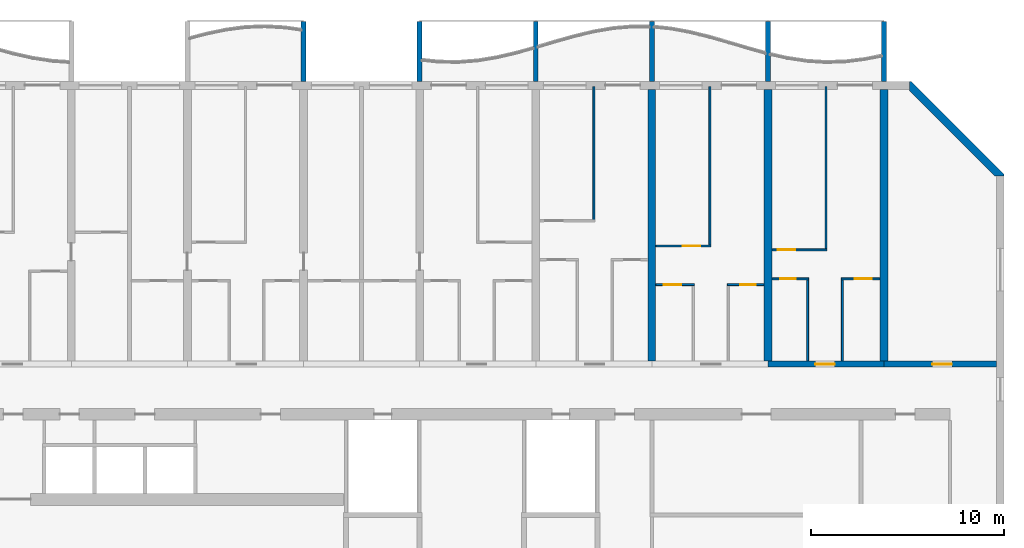
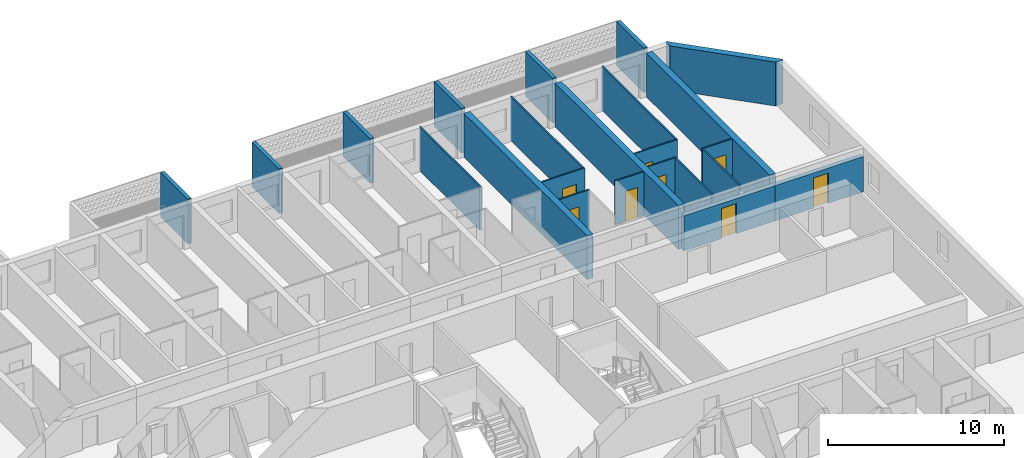
# One storey, part 17 of 40: 23 walls, 8 doors, 8 openings.
"""IFC4 building model written with IfcOpenShell, lengths in metres."""

from ifc_helpers import new_model, si_unit, direction, frame, frame_2d, origin, place, context, subcontext, project, spatial, polyline, rectangle, outline, extrude, source, transform, mapped, material, layer, layer_set, type_object, element, fill, save


model = new_model("IFC4")

# Units and contexts
model_context = context("Model", 3, precision=1e-05, world=origin(), true_north=direction((0.0, 1.0)))
body_context = subcontext(model_context, "Body", "Model", "MODEL_VIEW")
ifc_project = project(units=[si_unit("LENGTHUNIT", "METRE"), si_unit("AREAUNIT", "SQUARE_METRE"), si_unit("VOLUMEUNIT", "CUBIC_METRE"), si_unit("PLANEANGLEUNIT", "RADIAN"), si_unit("MASSUNIT", "GRAM", prefix="KILO")], contexts=[model_context])

# Site, building, storey
site_placement = place(None, origin())
site = spatial("IfcSite", under=ifc_project, at=site_placement, CompositionType="ELEMENT")
building_placement = place(site_placement, origin())
building = spatial("IfcBuilding", under=site, at=building_placement, Name="Poui Terraces", CompositionType="ELEMENT")
storey_placement = place(building_placement, frame((0.0, 0.0, 39.89990234375)))
storey = spatial("IfcBuildingStorey", under=building, at=storey_placement, Name="L10", CompositionType="ELEMENT", Elevation=39.89990234375)

# Wall, opening, door
ifc_material_1 = material(Name="Concrete 80 MPa", Category="concrete")
ifc_layer_1 = layer(ifc_material_1, 0.300048828125)
ifc_layer_set_1 = layer_set([ifc_layer_1], Name="Concrete 80 MPa")
wall_type_1 = type_object("IfcWallType", Name="CORRIDOR WALL 300 80MPa", PredefinedType="SHEAR", material=ifc_layer_set_1)
wall_1_placement = place(storey_placement, frame((90.0, 30.39990234375, 0.0), z_axis=(0.0, 0.0, 1.0), x_axis=(1.0, 0.0, 0.0)))
wall_1 = element("IfcWall", 1, at=wall_1_placement, inside=storey, type_object=wall_type_1, Name="CORRIDOR WALL LINE E BAY 16", PredefinedType="SHEAR", context=body_context, shape_type="SweptSolid", body=[
    extrude(rectangle(XDim=6.0, YDim=0.300048828125, at=frame_2d((3.0, 0.0))), origin(), (0.0, 0.0, 1.0), 2.4501953125),
])
opening_1_placement = place(wall_1_placement, frame((2.449951171875, 0.0, 0.0)))
opening_1 = element("IfcOpeningElement", 2, at=opening_1_placement, cuts=wall_1, Name="Opening FD30S", PredefinedType="OPENING", context=body_context, shape_type="SweptSolid", body=[
    extrude(rectangle(XDim=1.0, YDim=2.10009765625, at=frame_2d((0.5, 1.050048828125))), frame((0.0, 0.16015625, 0.0), z_axis=(0.0, -1.0, 0.0), x_axis=(1.0, 0.0, 0.0)), (0.0, 0.0, 1.0), 0.320068359375),
])
ifc_material_2 = material(Name="Steel fire door", Category="steel")
door_type_1 = type_object("IfcDoorType", Name="FLAT ENTRANCE DOOR 1000 X 2100", OperationType="NOTDEFINED", PredefinedType="DOOR", material=ifc_material_2)
door_1_placement = place(opening_1_placement, origin())
door_1 = element("IfcDoor", 3, at=door_1_placement, inside=storey, type_object=door_type_1, Name="FLAT ENTRANCE DOOR 087", OperationType="SINGLE_SWING_LEFT", OverallHeight=2.10009765625, OverallWidth=1.0, PredefinedType="DOOR", context=body_context, shape_type="SweptSolid", body=[
    extrude(rectangle(XDim=1.0, YDim=2.10009765625, at=frame_2d((0.5, 1.050048828125))), frame((0.0, 0.02490234375, 0.0), z_axis=(0.0, -1.0, 0.0), x_axis=(1.0, 0.0, 0.0)), (0.0, 0.0, 1.0), 0.050048828125),
])
fill(opening_1, door_1)

wall_2_placement = place(storey_placement, frame((96.0, 30.39990234375, 0.0), z_axis=(0.0, 0.0, 1.0), x_axis=(1.0, 0.0, 0.0)))
wall_2 = element("IfcWall", 4, at=wall_2_placement, inside=storey, type_object=wall_type_1, Name="CORRIDOR WALL LINE E BAY 17", PredefinedType="SHEAR", context=body_context, shape_type="SweptSolid", body=[
    extrude(rectangle(XDim=5.800048828125, YDim=0.300048828125, at=frame_2d((2.89990234375, 0.0))), origin(), (0.0, 0.0, 1.0), 2.4501953125),
])
opening_2_placement = place(wall_2_placement, frame((2.5, 0.0, 0.0)))
opening_2 = element("IfcOpeningElement", 5, at=opening_2_placement, cuts=wall_2, Name="Opening D100", PredefinedType="OPENING", context=body_context, shape_type="SweptSolid", body=[
    extrude(rectangle(XDim=1.0, YDim=2.10009765625, at=frame_2d((0.5, 1.050048828125))), frame((0.0, 0.16015625, 0.0), z_axis=(0.0, -1.0, 0.0), x_axis=(1.0, 0.0, 0.0)), (0.0, 0.0, 1.0), 0.320068359375),
])
ifc_material_3 = material(Name="Solid core timber door", Category="wood")
door_type_2 = type_object("IfcDoorType", Name="ACCESSIBLE INTERNAL DOOR 1000 X 2100", OperationType="NOTDEFINED", PredefinedType="DOOR", material=ifc_material_3)
door_2_placement = place(opening_2_placement, origin())
door_2 = element("IfcDoor", 6, at=door_2_placement, inside=storey, type_object=door_type_2, Name="ACCESSIBLE INTERNAL DOOR 089", OperationType="SINGLE_SWING_LEFT", OverallHeight=2.10009765625, OverallWidth=1.0, PredefinedType="DOOR", context=body_context, shape_type="SweptSolid", body=[
    extrude(rectangle(XDim=1.0, YDim=2.10009765625, at=frame_2d((0.5, 1.050048828125))), frame((0.0, 0.02490234375, 0.0), z_axis=(0.0, -1.0, 0.0), x_axis=(1.0, 0.0, 0.0)), (0.0, 0.0, 1.0), 0.050048828125),
])
fill(opening_2, door_2)

# Walls
ifc_layer_2 = layer(ifc_material_1, 0.39990234375)
ifc_layer_set_2 = layer_set([ifc_layer_2], Name="Concrete 80 MPa")
wall_type_2 = type_object("IfcWallType", Name="CROSS WALL 400 80MPa", PredefinedType="SHEAR", material=ifc_layer_set_2)
for number, where, z_axis, x_axis, name in (
    (7, (84.0, 30.550048828125, 0.0), (0.0, 0.0, 1.0), (0.0, 1.0, 0.0), "CROSS WALL LINE 15 NORTH"),
    (8, (90.0, 30.550048828125, 0.0), (0.0, 0.0, 1.0), (0.0, 1.0, 0.0), "CROSS WALL LINE 16 NORTH"),
    (9, (96.0, 30.550048828125, 0.0), (0.0, 0.0, 1.0), (0.0, 1.0, 0.0), "CROSS WALL LINE 17 NORTH"),
):
    element("IfcWall", number, at=place(storey_placement, frame(where, z_axis=z_axis, x_axis=x_axis)), inside=storey, type_object=wall_type_2, Name=name, PredefinedType="SHEAR", context=body_context, shape_type="SweptSolid", body=[
        extrude(rectangle(XDim=14.050048828125, YDim=0.39990234375, at=frame_2d((7.02490234375, 0.0))), origin(), (0.0, 0.0, 1.0), 3.050048828125),
    ])

# Wall, opening, door
ifc_material_4 = material(Name="Plasterboard partition")
ifc_layer_3 = layer(ifc_material_4, 0.10009765625)
ifc_layer_set_3 = layer_set([ifc_layer_3], Name="Plasterboard partition")
wall_type_3 = type_object("IfcWallType", Name="FLAT PARTITION 100", PredefinedType="PARTITIONING", material=ifc_layer_set_3)
wall_3_placement = place(storey_placement, frame((84.2099609375, 34.5, 0.0), z_axis=(0.0, 0.0, 1.0), x_axis=(1.0, 0.0, 0.0)))
wall_3 = element("IfcWall", 10, at=wall_3_placement, inside=storey, type_object=wall_type_3, Name="FLAT PARTITION 100", PredefinedType="PARTITIONING", context=body_context, shape_type="SweptSolid", body=[
    extrude(rectangle(XDim=1.989990234375, YDim=0.10009765625, at=frame_2d((0.9951171875, 0.0))), origin(), (0.0, 0.0, 1.0), 3.050048828125),
])
opening_3_placement = place(wall_3_placement, frame((0.4150390625, 0.0, 0.0)))
opening_3 = element("IfcOpeningElement", 11, at=opening_3_placement, cuts=wall_3, Name="Opening D90", PredefinedType="OPENING", context=body_context, shape_type="SweptSolid", body=[
    extrude(rectangle(XDim=0.89990234375, YDim=2.10009765625, at=frame_2d((0.449951171875, 1.050048828125))), frame((0.0, 0.06005859375, 0.0), z_axis=(0.0, -1.0, 0.0), x_axis=(1.0, 0.0, 0.0)), (0.0, 0.0, 1.0), 0.1201171875),
])
door_type_3 = type_object("IfcDoorType", Name="INTERNAL DOOR 900 X 2100", OperationType="NOTDEFINED", PredefinedType="DOOR", material=ifc_material_3)
door_3_placement = place(opening_3_placement, frame((0.89990234375, 0.0, 0.0), z_axis=(0.0, 0.0, 1.0), x_axis=(-1.0, 0.0, 0.0)))
door_3 = element("IfcDoor", 12, at=door_3_placement, inside=storey, type_object=door_type_3, Name="INTERNAL DOOR 081", OperationType="SINGLE_SWING_LEFT", OverallHeight=2.10009765625, OverallWidth=0.89990234375, PredefinedType="DOOR", context=body_context, shape_type="SweptSolid", body=[
    extrude(rectangle(XDim=0.89990234375, YDim=2.10009765625, at=frame_2d((0.449951171875, 1.050048828125))), frame((0.0, 0.02490234375, 0.0), z_axis=(0.0, -1.0, 0.0), x_axis=(1.0, 0.0, 0.0)), (0.0, 0.0, 1.0), 0.050048828125),
])
fill(opening_3, door_3)

wall_4_placement = place(storey_placement, frame((87.89990234375, 34.5, 0.0), z_axis=(0.0, 0.0, 1.0), x_axis=(1.0, 0.0, 0.0)))
wall_4 = element("IfcWall", 13, at=wall_4_placement, inside=storey, type_object=wall_type_3, Name="FLAT PARTITION 100", PredefinedType="PARTITIONING", context=body_context, shape_type="SweptSolid", body=[
    extrude(rectangle(XDim=1.89013671875, YDim=0.10009765625, at=frame_2d((0.945068359375, 0.0))), origin(), (0.0, 0.0, 1.0), 3.050048828125),
])
opening_4_placement = place(wall_4_placement, frame((0.675048828125, 0.0, 0.0)))
opening_4 = element("IfcOpeningElement", 14, at=opening_4_placement, cuts=wall_4, Name="Opening D80", PredefinedType="OPENING", context=body_context, shape_type="SweptSolid", body=[
    extrude(rectangle(XDim=0.800048828125, YDim=2.10009765625, at=frame_2d((0.39990234375, 1.050048828125))), frame((0.0, 0.06005859375, 0.0), z_axis=(0.0, -1.0, 0.0), x_axis=(1.0, 0.0, 0.0)), (0.0, 0.0, 1.0), 0.1201171875),
])
door_type_4 = type_object("IfcDoorType", Name="BATHROOM, LAUNDRY AND STORE DOOR 800 X 2100", OperationType="NOTDEFINED", PredefinedType="DOOR", material=ifc_material_3)
door_4_placement = place(opening_4_placement, frame((0.800048828125, 0.0, 0.0), z_axis=(0.0, 0.0, 1.0), x_axis=(-1.0, 0.0, 0.0)))
door_4 = element("IfcDoor", 15, at=door_4_placement, inside=storey, type_object=door_type_4, Name="BATHROOM, LAUNDRY AND STORE DOOR 084", OperationType="SINGLE_SWING_RIGHT", OverallHeight=2.10009765625, OverallWidth=0.800048828125, PredefinedType="DOOR", context=body_context, shape_type="SweptSolid", body=[
    extrude(rectangle(XDim=0.800048828125, YDim=2.10009765625, at=frame_2d((0.39990234375, 1.050048828125))), frame((0.0, 0.02490234375, 0.0), z_axis=(0.0, -1.0, 0.0), x_axis=(1.0, 0.0, 0.0)), (0.0, 0.0, 1.0), 0.050048828125),
])
fill(opening_4, door_4)

wall_5_placement = place(storey_placement, frame((90.2099609375, 34.800048828125, 0.0), z_axis=(0.0, 0.0, 1.0), x_axis=(1.0, 0.0, 0.0)))
wall_5 = element("IfcWall", 16, at=wall_5_placement, inside=storey, type_object=wall_type_3, Name="FLAT PARTITION 100", PredefinedType="PARTITIONING", context=body_context, shape_type="SweptSolid", body=[
    extrude(rectangle(XDim=1.89013671875, YDim=0.10009765625, at=frame_2d((0.945068359375, 0.0))), origin(), (0.0, 0.0, 1.0), 3.050048828125),
])
opening_5_placement = place(wall_5_placement, frame((0.4150390625, 0.0, 0.0)))
opening_5 = element("IfcOpeningElement", 17, at=opening_5_placement, cuts=wall_5, Name="Opening D80", PredefinedType="OPENING", context=body_context, shape_type="SweptSolid", body=[
    extrude(rectangle(XDim=0.800048828125, YDim=2.10009765625, at=frame_2d((0.39990234375, 1.050048828125))), frame((0.0, 0.06005859375, 0.0), z_axis=(0.0, -1.0, 0.0), x_axis=(1.0, 0.0, 0.0)), (0.0, 0.0, 1.0), 0.1201171875),
])
door_5_placement = place(opening_5_placement, frame((0.800048828125, 0.0, 0.0), z_axis=(0.0, 0.0, 1.0), x_axis=(-1.0, 0.0, 0.0)))
door_5 = element("IfcDoor", 18, at=door_5_placement, inside=storey, type_object=door_type_4, Name="BATHROOM, LAUNDRY AND STORE DOOR 086", OperationType="SINGLE_SWING_RIGHT", OverallHeight=2.10009765625, OverallWidth=0.800048828125, PredefinedType="DOOR", context=body_context, shape_type="SweptSolid", body=[
    extrude(rectangle(XDim=0.800048828125, YDim=2.10009765625, at=frame_2d((0.39990234375, 1.050048828125))), frame((0.0, 0.02490234375, 0.0), z_axis=(0.0, -1.0, 0.0), x_axis=(1.0, 0.0, 0.0)), (0.0, 0.0, 1.0), 0.050048828125),
])
fill(opening_5, door_5)

wall_6_placement = place(storey_placement, frame((93.800048828125, 34.800048828125, 0.0), z_axis=(0.0, 0.0, 1.0), x_axis=(1.0, 0.0, 0.0)))
wall_6 = element("IfcWall", 19, at=wall_6_placement, inside=storey, type_object=wall_type_3, Name="FLAT PARTITION 100", PredefinedType="PARTITIONING", context=body_context, shape_type="SweptSolid", body=[
    extrude(rectangle(XDim=1.989990234375, YDim=0.10009765625, at=frame_2d((0.9951171875, 0.0))), origin(), (0.0, 0.0, 1.0), 3.050048828125),
])
opening_6_placement = place(wall_6_placement, frame((0.675048828125, 0.0, 0.0)))
opening_6 = element("IfcOpeningElement", 20, at=opening_6_placement, cuts=wall_6, Name="Opening D90", PredefinedType="OPENING", context=body_context, shape_type="SweptSolid", body=[
    extrude(rectangle(XDim=0.89990234375, YDim=2.10009765625, at=frame_2d((0.449951171875, 1.050048828125))), frame((0.0, 0.06005859375, 0.0), z_axis=(0.0, -1.0, 0.0), x_axis=(1.0, 0.0, 0.0)), (0.0, 0.0, 1.0), 0.1201171875),
])
door_6_placement = place(opening_6_placement, frame((0.89990234375, 0.0, 0.0), z_axis=(0.0, 0.0, 1.0), x_axis=(-1.0, 0.0, 0.0)))
door_6 = element("IfcDoor", 21, at=door_6_placement, inside=storey, type_object=door_type_3, Name="INTERNAL DOOR 088", OperationType="SINGLE_SWING_LEFT", OverallHeight=2.10009765625, OverallWidth=0.89990234375, PredefinedType="DOOR", context=body_context, shape_type="SweptSolid", body=[
    extrude(rectangle(XDim=0.89990234375, YDim=2.10009765625, at=frame_2d((0.449951171875, 1.050048828125))), frame((0.0, 0.02490234375, 0.0), z_axis=(0.0, -1.0, 0.0), x_axis=(1.0, 0.0, 0.0)), (0.0, 0.0, 1.0), 0.050048828125),
])
fill(opening_6, door_6)

wall_7_placement = place(storey_placement, frame((90.2099609375, 36.300048828125, 0.0), z_axis=(0.0, 0.0, 1.0), x_axis=(1.0, 0.0, 0.0)))
wall_7 = element("IfcWall", 22, at=wall_7_placement, inside=storey, type_object=wall_type_3, Name="FLAT PARTITION 100", PredefinedType="PARTITIONING", context=body_context, shape_type="SweptSolid", body=[
    extrude(rectangle(XDim=2.840087890625, YDim=0.10009765625, at=frame_2d((1.419921875, 0.0))), origin(), (0.0, 0.0, 1.0), 3.050048828125),
])
opening_7_placement = place(wall_7_placement, frame((0.2900390625, 0.0, 0.0)))
opening_7 = element("IfcOpeningElement", 23, at=opening_7_placement, cuts=wall_7, Name="Opening D90", PredefinedType="OPENING", context=body_context, shape_type="SweptSolid", body=[
    extrude(rectangle(XDim=0.89990234375, YDim=2.10009765625, at=frame_2d((0.449951171875, 1.050048828125))), frame((0.0, 0.06005859375, 0.0), z_axis=(0.0, -1.0, 0.0), x_axis=(1.0, 0.0, 0.0)), (0.0, 0.0, 1.0), 0.1201171875),
])
door_7_placement = place(opening_7_placement, frame((0.89990234375, 0.0, 0.0), z_axis=(0.0, 0.0, 1.0), x_axis=(-1.0, 0.0, 0.0)))
door_7 = element("IfcDoor", 24, at=door_7_placement, inside=storey, type_object=door_type_3, Name="INTERNAL DOOR 085", OperationType="SINGLE_SWING_LEFT", OverallHeight=2.10009765625, OverallWidth=0.89990234375, PredefinedType="DOOR", context=body_context, shape_type="SweptSolid", body=[
    extrude(rectangle(XDim=0.89990234375, YDim=2.10009765625, at=frame_2d((0.449951171875, 1.050048828125))), frame((0.0, 0.02490234375, 0.0), z_axis=(0.0, -1.0, 0.0), x_axis=(1.0, 0.0, 0.0)), (0.0, 0.0, 1.0), 0.050048828125),
])
fill(opening_7, door_7)

wall_8_placement = place(storey_placement, frame((84.2099609375, 36.5, 0.0), z_axis=(0.0, 0.0, 1.0), x_axis=(1.0, 0.0, 0.0)))
wall_8 = element("IfcWall", 25, at=wall_8_placement, inside=storey, type_object=wall_type_3, Name="FLAT PARTITION 100", PredefinedType="PARTITIONING", context=body_context, shape_type="SweptSolid", body=[
    extrude(rectangle(XDim=2.840087890625, YDim=0.10009765625, at=frame_2d((1.419921875, 0.0))), origin(), (0.0, 0.0, 1.0), 3.050048828125),
])
opening_8_placement = place(wall_8_placement, frame((1.389892578125, 0.0, 0.0)))
opening_8 = element("IfcOpeningElement", 26, at=opening_8_placement, cuts=wall_8, Name="Opening D90", PredefinedType="OPENING", context=body_context, shape_type="SweptSolid", body=[
    extrude(rectangle(XDim=0.89990234375, YDim=2.10009765625, at=frame_2d((0.449951171875, 1.050048828125))), frame((0.0, 0.06005859375, 0.0), z_axis=(0.0, -1.0, 0.0), x_axis=(1.0, 0.0, 0.0)), (0.0, 0.0, 1.0), 0.1201171875),
])
door_8_placement = place(opening_8_placement, frame((0.89990234375, 0.0, 0.0), z_axis=(0.0, 0.0, 1.0), x_axis=(-1.0, 0.0, 0.0)))
door_8 = element("IfcDoor", 27, at=door_8_placement, inside=storey, type_object=door_type_3, Name="INTERNAL DOOR 082", OperationType="SINGLE_SWING_RIGHT", OverallHeight=2.10009765625, OverallWidth=0.89990234375, PredefinedType="DOOR", context=body_context, shape_type="SweptSolid", body=[
    extrude(rectangle(XDim=0.89990234375, YDim=2.10009765625, at=frame_2d((0.449951171875, 1.050048828125))), frame((0.0, 0.02490234375, 0.0), z_axis=(0.0, -1.0, 0.0), x_axis=(1.0, 0.0, 0.0)), (0.0, 0.0, 1.0), 0.050048828125),
])
fill(opening_8, door_8)

# Walls
wall_9_placement = place(storey_placement, frame((81.0, 37.85009765625, 0.0), z_axis=(0.0, 0.0, 1.0), x_axis=(0.0, 1.0, 0.0)))
element("IfcWall", 28, at=wall_9_placement, inside=storey, type_object=wall_type_3, Name="FLAT PARTITION 100", PredefinedType="PARTITIONING", context=body_context, shape_type="SweptSolid", body=[
    extrude(rectangle(XDim=6.889892578125, YDim=0.10009765625, at=frame_2d((3.44482421875, 0.0))), origin(), (0.0, 0.0, 1.0), 3.050048828125),
])
wall_10_placement = place(storey_placement, frame((87.0, 36.550048828125, 0.0), z_axis=(0.0, 0.0, 1.0), x_axis=(0.0, 1.0, 0.0)))
element("IfcWall", 29, at=wall_10_placement, inside=storey, type_object=wall_type_3, Name="FLAT PARTITION 100", PredefinedType="PARTITIONING", context=body_context, shape_type="SweptSolid", body=[
    extrude(rectangle(XDim=8.18994140625, YDim=0.10009765625, at=frame_2d((4.094970703125, 0.0))), origin(), (0.0, 0.0, 1.0), 3.050048828125),
])
wall_11_placement = place(storey_placement, frame((92.050048828125, 30.56005859375, 0.0), z_axis=(0.0, 0.0, 1.0), x_axis=(0.0, 1.0, 0.0)))
element("IfcWall", 30, at=wall_11_placement, inside=storey, type_object=wall_type_3, Name="FLAT PARTITION 100", PredefinedType="PARTITIONING", context=body_context, shape_type="SweptSolid", body=[
    extrude(rectangle(XDim=4.18994140625, YDim=0.10009765625, at=frame_2d((2.094970703125, 0.0))), origin(), (0.0, 0.0, 1.0), 3.050048828125),
])
wall_12_placement = place(storey_placement, frame((93.0, 36.35009765625, 0.0), z_axis=(0.0, 0.0, 1.0), x_axis=(0.0, 1.0, 0.0)))
element("IfcWall", 31, at=wall_12_placement, inside=storey, type_object=wall_type_3, Name="FLAT PARTITION 100", PredefinedType="PARTITIONING", context=body_context, shape_type="SweptSolid", body=[
    extrude(rectangle(XDim=8.389892578125, YDim=0.10009765625, at=frame_2d((4.19482421875, 0.0))), origin(), (0.0, 0.0, 1.0), 3.050048828125),
])
wall_13_placement = place(storey_placement, frame((93.85009765625, 30.56005859375, 0.0), z_axis=(0.0, 0.0, 1.0), x_axis=(0.0, 1.0, 0.0)))
element("IfcWall", 32, at=wall_13_placement, inside=storey, type_object=wall_type_3, Name="FLAT PARTITION 100", PredefinedType="PARTITIONING", context=body_context, shape_type="SweptSolid", body=[
    extrude(rectangle(XDim=4.18994140625, YDim=0.10009765625, at=frame_2d((2.094970703125, 0.0))), origin(), (0.0, 0.0, 1.0), 3.050048828125),
])
ifc_material_5 = material(Name="Precast concrete 40 MPa", Category="concrete")
ifc_layer_4 = layer(ifc_material_5, 0.39990234375)
ifc_layer_set_4 = layer_set([ifc_layer_4], Name="Precast concrete 40 MPa")
wall_type_4 = type_object("IfcWallType", Name="TERRACOTTA CLAD CHAMFER WALL 400", PredefinedType="STANDARD", material=ifc_layer_set_4)
wall_14_placement = place(storey_placement, origin())
element("IfcWall", 33, at=wall_14_placement, inside=storey, type_object=wall_type_4, Name="CHAMFER WALL CH03", PredefinedType="STANDARD", context=body_context, shape_type="SweptSolid", body=[
    extrude(outline(polyline([(102.199951171875, 40.1171875), (102.199951171875, 40.199951171875), (97.39990234375, 45.0), (97.317138671875, 45.0), (97.317138671875, 44.51708984375), (101.71728515625, 40.1171875), (102.199951171875, 40.1171875)])), origin(), (0.0, 0.0, 1.0), 3.050048828125),
])
ifc_layer_5 = layer(ifc_material_5, 0.25)
ifc_layer_set_5 = layer_set([ifc_layer_5], Name="Precast concrete 40 MPa")
wall_type_5 = type_object("IfcWallType", Name="BALCONY FIN 250", PredefinedType="STANDARD", material=ifc_layer_set_5)
shared_shape = source(origin(), body_context, "Body", "SweptSolid", [
    extrude(outline(polyline([(0.0, 0.0), (0.25, 0.0), (0.25, 3.10009765625), (0.0, 3.10009765625), (0.0, 0.0)])), origin(), (0.0, 0.0, 1.0), 3.10009765625),
])
for number, where, name in (
    (34, (65.875, 45.0, 0.0), "BALCONY FIN"),
    (35, (71.875, 45.0, 0.0), "BALCONY FIN"),
    (36, (77.875, 45.0, 0.0), "BALCONY FIN"),
    (37, (83.875, 45.0, 0.0), "BALCONY FIN"),
    (38, (89.875, 45.0, 0.0), "BALCONY FIN"),
    (39, (95.875, 45.0, 0.0), "BALCONY FIN"),
):
    element("IfcWall", number, at=place(storey_placement, frame(where)), inside=storey, type_object=wall_type_5, Name=name, PredefinedType="STANDARD", context=body_context, shape_type="MappedRepresentation", body=[
        mapped(shared_shape, transform((0.0, 0.0, 0.0))),
    ])

save(model, "model.ifc")
